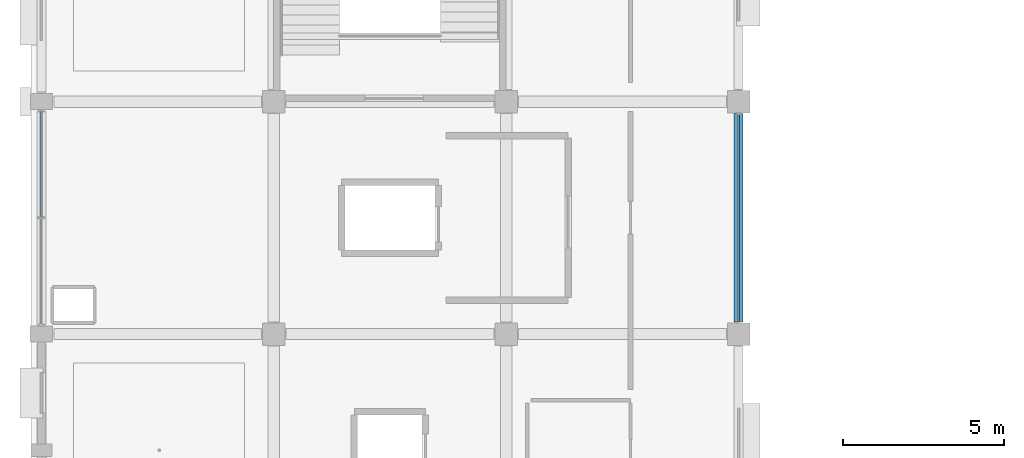
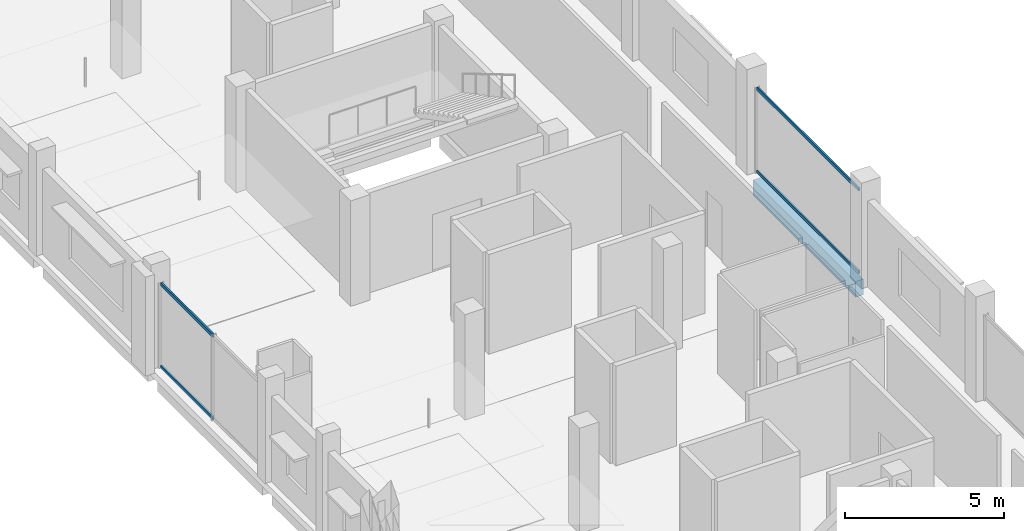
# One storey, part 14 of 77: 4 members, 1 beam, 2 elements without a shape of their own.
"""IFC4 building model written with IfcOpenShell, lengths in metres."""

from ifc_helpers import new_model, si_unit, direction, frame, origin, origin_2d, place, context, subcontext, project, spatial, rectangle, hollow_rectangle, extrude, material, layer, layer_set, material_profile, profile_set, type_object, element, aggregate, save


model = new_model("IFC4")

# Units and contexts
model_context = context("Model", 3, precision=1e-05, world=origin(), true_north=direction((0.0, 1.0)))
body_context = subcontext(model_context, "Body", "Model", "MODEL_VIEW")
ifc_project = project(units=[si_unit("LENGTHUNIT", "METRE"), si_unit("AREAUNIT", "SQUARE_METRE"), si_unit("VOLUMEUNIT", "CUBIC_METRE"), si_unit("PLANEANGLEUNIT", "RADIAN"), si_unit("MASSUNIT", "GRAM", prefix="KILO")], contexts=[model_context])

# Site, building, storey
site_placement = place(None, origin())
site = spatial("IfcSite", under=ifc_project, at=site_placement, CompositionType="ELEMENT")
building_placement = place(site_placement, origin())
building = spatial("IfcBuilding", under=site, at=building_placement, Name="Kangsadwip Square Police Headquarters", CompositionType="ELEMENT")
storey_placement = place(building_placement, frame((0.0, 0.0, 17.550048828125)))
storey = spatial("IfcBuildingStorey", under=building, at=storey_placement, Name="L04", CompositionType="ELEMENT", Elevation=17.550048828125)

# Curtain wall, members
ifc_material_1 = material(Name="Thermally broken anodised aluminium AW-6063-T6", Category="aluminium")
ifc_layer_1 = layer(ifc_material_1, 0.159912109375)
ifc_layer_set_1 = layer_set([ifc_layer_1], Name="Thermally broken anodised aluminium AW-6063-T6")
curtain_wall_type_1 = type_object("IfcCurtainWallType", Name="CourtScreen6510x3300", PredefinedType="USERDEFINED", material=ifc_layer_set_1)
curtain_wall_1_placement = place(storey_placement, origin())
curtain_wall_1 = element("IfcCurtainWall", 1, at=curtain_wall_1_placement, inside=storey, type_object=curtain_wall_type_1, Name="Curtain Wall CW-L04-0216-0651", ObjectType="GLAZED_SCREEN", PredefinedType="USERDEFINED")
ifc_material_2 = material(Name="Thermally broken anodised aluminium AW-6063-T6", Category="aluminium")
ifc_material_profile_1 = material_profile(ifc_material_2, hollow_rectangle(XDim=0.06005859375, YDim=0.1201171875, WallThickness=0.00390625, at=origin_2d()), Name="CWT 120X60X4")
ifc_profile_set_1 = profile_set([ifc_material_profile_1], Name="Thermally broken anodised aluminium AW-6063-T6")
member_type_1 = type_object("IfcMemberType", Name="CwTransom120x55", PredefinedType="USERDEFINED", material=ifc_profile_set_1)
member_1_placement = place(storey_placement, frame((21.60009765625, 65.205078125, 0.06005859375), z_axis=(0.0, 1.0, 0.0), x_axis=(-1.0, 0.0, 0.0)))
member_1 = element("IfcMember", 2, at=member_1_placement, type_object=member_type_1, Name="CW-46 transom 1.1", ObjectType="TRANSOM", PredefinedType="USERDEFINED", context=body_context, shape_type="SweptSolid", body=[
    extrude(hollow_rectangle(XDim=0.06005859375, YDim=0.1201171875, WallThickness=0.00390625, at=origin_2d()), origin(), (0.0, 0.0, 1.0), 6.389892578125),
])
member_2_placement = place(storey_placement, frame((21.60009765625, 65.205078125, 3.239990234375), z_axis=(0.0, 1.0, 0.0), x_axis=(-1.0, 0.0, 0.0)))
member_2 = element("IfcMember", 3, at=member_2_placement, type_object=member_type_1, Name="CW-46 transom 1.2", ObjectType="TRANSOM", PredefinedType="USERDEFINED", context=body_context, shape_type="SweptSolid", body=[
    extrude(hollow_rectangle(XDim=0.06005859375, YDim=0.1201171875, WallThickness=0.00390625, at=origin_2d()), origin(), (0.0, 0.0, 1.0), 6.389892578125),
])
aggregate(curtain_wall_1, [member_1, member_2])

ifc_material_3 = material(Name="Thermally broken anodised aluminium AW-6063-T6", Category="aluminium")
ifc_layer_2 = layer(ifc_material_3, 0.159912109375)
ifc_layer_set_2 = layer_set([ifc_layer_2], Name="Thermally broken anodised aluminium AW-6063-T6")
curtain_wall_type_2 = type_object("IfcCurtainWallType", Name="UnitisedCw6710x3300", PredefinedType="NOTDEFINED", material=ifc_layer_set_2)
curtain_wall_2_placement = place(storey_placement, origin())
curtain_wall_2 = element("IfcCurtainWall", 4, at=curtain_wall_2_placement, inside=storey, type_object=curtain_wall_type_2, Name="Curtain Wall CW-L04-0000-0650", PredefinedType="NOTDEFINED")
ifc_material_4 = material(Name="Thermally broken anodised aluminium AW-6063-T6", Category="aluminium")
ifc_material_profile_2 = material_profile(ifc_material_4, hollow_rectangle(XDim=0.06494140625, YDim=0.1298828125, WallThickness=0.00390625, at=origin_2d()), Name="CWT 130X65X4")
ifc_profile_set_2 = profile_set([ifc_material_profile_2], Name="Thermally broken anodised aluminium AW-6063-T6")
member_type_2 = type_object("IfcMemberType", Name="CwTransom140x60", PredefinedType="USERDEFINED", material=ifc_profile_set_2)
member_3_placement = place(storey_placement, frame((0.0, 68.4326171875, 0.06494140625), z_axis=(0.0, 1.0, 0.0), x_axis=(-1.0, 0.0, 0.0)))
member_3 = element("IfcMember", 5, at=member_3_placement, type_object=member_type_2, Name="CW-45 transom 2.1", ObjectType="TRANSOM", PredefinedType="USERDEFINED", context=body_context, shape_type="SweptSolid", body=[
    extrude(hollow_rectangle(XDim=0.06494140625, YDim=0.1298828125, WallThickness=0.00390625, at=origin_2d()), origin(), (0.0, 0.0, 1.0), 3.25732421875),
])
member_4_placement = place(storey_placement, frame((0.0, 68.4326171875, 3.23486328125), z_axis=(0.0, 1.0, 0.0), x_axis=(-1.0, 0.0, 0.0)))
member_4 = element("IfcMember", 6, at=member_4_placement, type_object=member_type_2, Name="CW-45 transom 2.2", ObjectType="TRANSOM", PredefinedType="USERDEFINED", context=body_context, shape_type="SweptSolid", body=[
    extrude(hollow_rectangle(XDim=0.06494140625, YDim=0.1298828125, WallThickness=0.00390625, at=origin_2d()), origin(), (0.0, 0.0, 1.0), 3.25732421875),
])
aggregate(curtain_wall_2, [member_3, member_4])

# Beam
ifc_material_5 = material(Name="Concrete M40 (40 MPa)", Category="concrete")
ifc_material_profile_3 = material_profile(ifc_material_5, rectangle(XDim=0.280029296875, YDim=0.60009765625, at=origin_2d()), Name="RC SPN 600X280")
ifc_profile_set_3 = profile_set([ifc_material_profile_3], Name="Concrete M40 (40 MPa)")
beam_type = type_object("IfcBeamType", Name="RcSpandrel600x280", PredefinedType="SPANDREL", material=ifc_profile_set_3)
beam_placement = place(storey_placement, frame((21.60009765625, 65.175048828125, -0.5400390625), z_axis=(0.0, 1.0, 0.0), x_axis=(-1.0, 0.0, 0.0)))
element("IfcBeam", 7, at=beam_placement, inside=storey, type_object=beam_type, Name="Beam BM-L04-Y-03-09", PredefinedType="SPANDREL", context=body_context, shape_type="SweptSolid", body=[
    extrude(rectangle(XDim=0.280029296875, YDim=0.60009765625, at=origin_2d()), origin(), (0.0, 0.0, 1.0), 6.449951171875),
])

save(model, "model.ifc")
